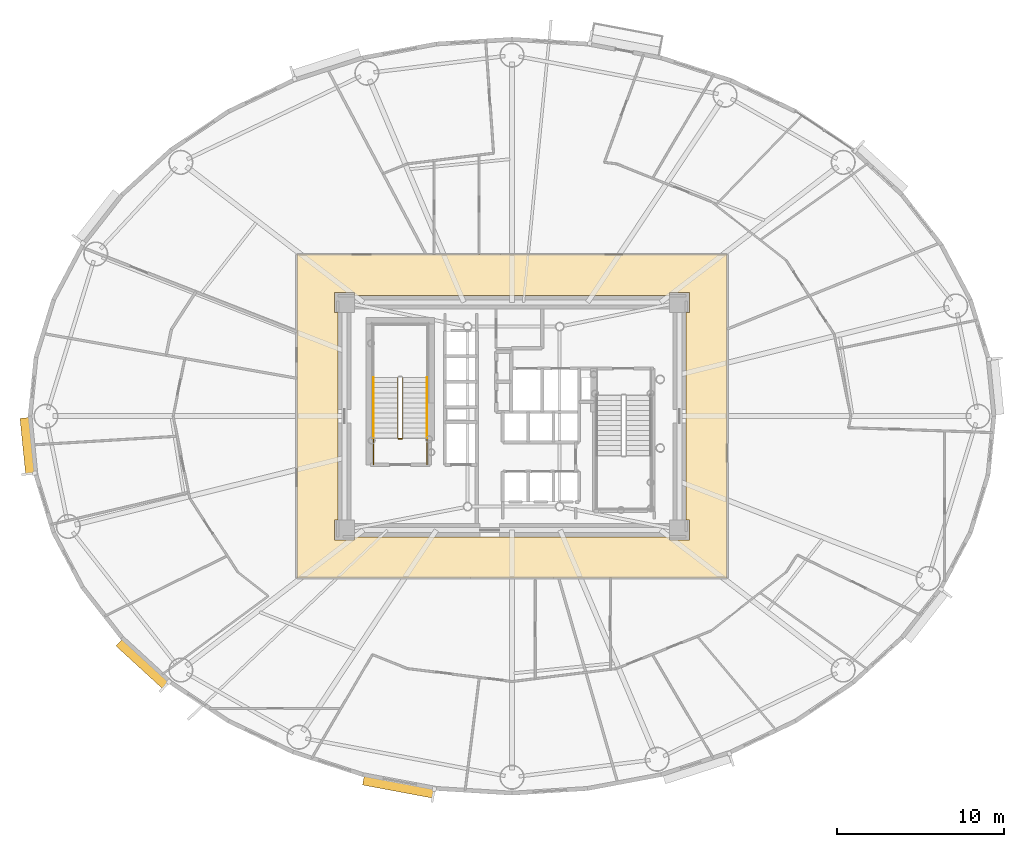
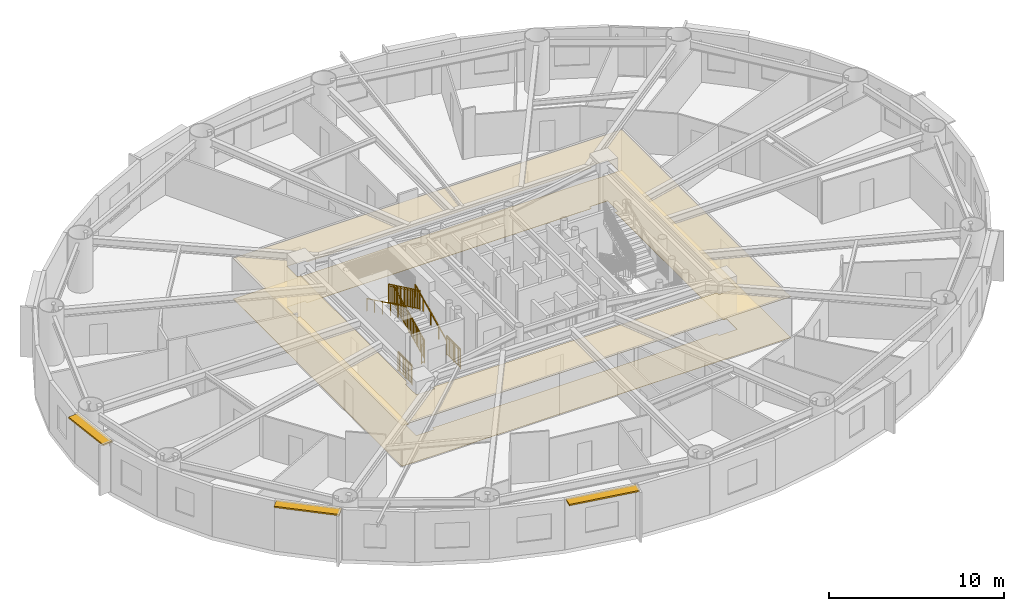
# One storey, part 16 of 20: 7 railings, 3 shading devices, 2 coverings.
"""IFC4 building model written with IfcOpenShell, lengths in metres."""

from ifc_helpers import new_model, si_unit, direction, frame, origin, origin_2d, place, context, subcontext, project, spatial, polyline, rectangle, outline, extrude, source, transform, mapped, material, layer, layer_set, type_object, element, save


model = new_model("IFC4")

# Units and contexts
model_context = context("Model", 3, precision=1e-05, world=origin(), true_north=direction((0.0, 1.0)))
body_context = subcontext(model_context, "Body", "Model", "MODEL_VIEW")
ifc_project = project(units=[si_unit("LENGTHUNIT", "METRE"), si_unit("AREAUNIT", "SQUARE_METRE"), si_unit("VOLUMEUNIT", "CUBIC_METRE"), si_unit("PLANEANGLEUNIT", "RADIAN"), si_unit("MASSUNIT", "GRAM", prefix="KILO")], contexts=[model_context])

# Site, building, storey
site_placement = place(None, origin())
site = spatial("IfcSite", under=ifc_project, at=site_placement, CompositionType="ELEMENT")
building_placement = place(site_placement, origin())
building = spatial("IfcBuilding", under=site, at=building_placement, Name="Linh Dai School and Residence Tower", CompositionType="ELEMENT")
storey_placement = place(building_placement, frame((0.0, 0.0, 127.199951171875)))
storey = spatial("IfcBuildingStorey", under=building, at=storey_placement, Name="L30", CompositionType="ELEMENT", Elevation=127.199951171875)

# Coverings
ifc_material_1 = material(Name="Mineral Fibre Acoustic Suspended Ceiling", Category="masonry")
ifc_layer_1 = layer(ifc_material_1, 0.02001953125)
ifc_layer_set_1 = layer_set([ifc_layer_1], Name="Mineral Fibre Acoustic Suspended Ceiling")
covering_type_1 = type_object("IfcCoveringType", Name="COV-CEIL-AC-20", PredefinedType="CEILING", material=ifc_layer_set_1)
covering_1_placement = place(storey_placement, frame((0.0, 0.0, 2.85009765625)))
element("IfcCovering", 1, at=covering_1_placement, inside=storey, type_object=covering_type_1, Name="L30 Residential Floor Corridor Suspended Ceiling", PredefinedType="CEILING", context=body_context, shape_type="SweptSolid", body=[
    extrude(outline(polyline([(48.85009765625, 36.64990234375), (48.85009765625, 17.35009765625), (23.14990234375, 17.35009765625), (23.14990234375, 36.64990234375), (48.85009765625, 36.64990234375)]), holes=[polyline([(26.60009765625, 34.199951171875), (26.60009765625, 34.39990234375), (25.39990234375, 34.39990234375), (25.39990234375, 33.199951171875), (25.60009765625, 33.199951171875), (25.60009765625, 20.800048828125), (25.39990234375, 20.800048828125), (25.39990234375, 19.60009765625), (26.60009765625, 19.60009765625), (26.60009765625, 19.800048828125), (45.39990234375, 19.800048828125), (45.39990234375, 19.60009765625), (46.60009765625, 19.60009765625), (46.60009765625, 20.800048828125), (46.39990234375, 20.800048828125), (46.39990234375, 33.199951171875), (46.60009765625, 33.199951171875), (46.60009765625, 34.39990234375), (45.39990234375, 34.39990234375), (45.39990234375, 34.199951171875), (26.60009765625, 34.199951171875)])]), origin(), (0.0, 0.0, 1.0), 0.02001953125),
])
ifc_material_2 = material(Name="Polished Terrazzo Floor Finish", Category="masonry")
ifc_layer_2 = layer(ifc_material_2, 0.02490234375)
ifc_layer_set_2 = layer_set([ifc_layer_2], Name="Polished Terrazzo Floor Finish")
covering_type_2 = type_object("IfcCoveringType", Name="COV-FLR-TRZ-25", PredefinedType="FLOORING", material=ifc_layer_set_2)
covering_2_placement = place(storey_placement, origin())
element("IfcCovering", 2, at=covering_2_placement, inside=storey, type_object=covering_type_2, Name="L30 Residential Floor Corridor Floor Finish", PredefinedType="FLOORING", context=body_context, shape_type="SweptSolid", body=[
    extrude(outline(polyline([(48.85009765625, 36.64990234375), (48.85009765625, 17.35009765625), (23.14990234375, 17.35009765625), (23.14990234375, 36.64990234375), (48.85009765625, 36.64990234375)]), holes=[polyline([(26.60009765625, 34.199951171875), (26.60009765625, 34.39990234375), (25.39990234375, 34.39990234375), (25.39990234375, 33.199951171875), (25.60009765625, 33.199951171875), (25.60009765625, 20.800048828125), (25.39990234375, 20.800048828125), (25.39990234375, 19.60009765625), (26.60009765625, 19.60009765625), (26.60009765625, 19.800048828125), (45.39990234375, 19.800048828125), (45.39990234375, 19.60009765625), (46.60009765625, 19.60009765625), (46.60009765625, 20.800048828125), (46.39990234375, 20.800048828125), (46.39990234375, 33.199951171875), (46.60009765625, 33.199951171875), (46.60009765625, 34.39990234375), (45.39990234375, 34.39990234375), (45.39990234375, 34.199951171875), (26.60009765625, 34.199951171875)])]), origin(), (0.0, 0.0, 1.0), 0.02001953125),
])

# Shading devices
ifc_material_3 = material(Name="Terracotta Ceramic Sunshade", Category="masonry")
ifc_layer_3 = layer(ifc_material_3, 0.10009765625)
ifc_layer_set_3 = layer_set([ifc_layer_3], Name="Terracotta Ceramic Sunshade")
shading_device_type = type_object("IfcShadingDeviceType", Name="SHD-TC-650", PredefinedType="USERDEFINED", material=ifc_layer_set_3)
shared_shape_1 = source(origin(), body_context, "Body", "SweptSolid", [
    extrude(rectangle(XDim=3.3916015625, YDim=0.64990234375, at=origin_2d()), origin(), (0.0, 0.0, 1.0), 0.10009765625),
])
shading_device_1_placement = place(storey_placement, frame((7.1181640625, 25.2138671875, 3.3798828125), z_axis=(0.0, 0.0, 1.0), x_axis=(-0.100007297192, 0.994986703684, 0.0)))
element("IfcShadingDevice", 3, at=shading_device_1_placement, inside=storey, type_object=shading_device_type, Name="L30 Terracotta Horizontal Sunshade Band 21", ObjectType="SUNSHADE", PredefinedType="USERDEFINED", context=body_context, shape_type="MappedRepresentation", body=[
    mapped(shared_shape_1, transform((0.0, 0.0, 0.0), x_axis=(1.0, 0.0, 0.0), y_axis=(0.0, 1.0, 0.0), z_axis=(0.0, 0.0, 1.0), scale=1.0)),
])
shared_shape_2 = source(origin(), body_context, "Body", "SweptSolid", [
    extrude(rectangle(XDim=3.81689453125, YDim=0.64990234375, at=origin_2d()), origin(), (0.0, 0.0, 1.0), 0.10009765625),
])
shading_device_2_placement = place(storey_placement, frame((13.983642578125, 12.22998046875, 3.3798828125), z_axis=(0.0, 0.0, 1.0), x_axis=(-0.737100266172, 0.675783395482, 0.0)))
element("IfcShadingDevice", 4, at=shading_device_2_placement, inside=storey, type_object=shading_device_type, Name="L30 Terracotta Horizontal Sunshade Band 25", ObjectType="SUNSHADE", PredefinedType="USERDEFINED", context=body_context, shape_type="MappedRepresentation", body=[
    mapped(shared_shape_2, transform((0.0, 0.0, 0.0), x_axis=(1.0, 0.0, 0.0), y_axis=(0.0, 1.0, 0.0), z_axis=(0.0, 0.0, 1.0), scale=1.0)),
])
shared_shape_3 = source(origin(), body_context, "Body", "SweptSolid", [
    extrude(rectangle(XDim=4.292236328125, YDim=0.64990234375, at=origin_2d()), origin(), (0.0, 0.0, 1.0), 0.10009765625),
])
shading_device_3_placement = place(storey_placement, frame((29.24462890625, 4.905517578125, 3.3798828125), z_axis=(0.0, 0.0, 1.0), x_axis=(-0.982784673718, 0.18475466193, 0.0)))
element("IfcShadingDevice", 5, at=shading_device_3_placement, inside=storey, type_object=shading_device_type, Name="L30 Terracotta Horizontal Sunshade Band 29", ObjectType="SUNSHADE", PredefinedType="USERDEFINED", context=body_context, shape_type="MappedRepresentation", body=[
    mapped(shared_shape_3, transform((0.0, 0.0, 0.0), x_axis=(1.0, 0.0, 0.0), y_axis=(0.0, 1.0, 0.0), z_axis=(0.0, 0.0, 1.0), scale=1.0)),
])

# Railings
ifc_material_4 = material(Name="Structural Steel S355JR", Category="steel")
railing_type_1 = type_object("IfcRailingType", Name="RL-ST-GUARD-1400", PredefinedType="GUARDRAIL", material=ifc_material_4)
shared_shape_4 = source(origin(), body_context, "Body", "SweptSolid", [
    extrude(rectangle(XDim=0.048095703125, YDim=0.048095703125, at=origin_2d()), frame((0.0, 0.0, 1.3759765625), z_axis=(-1.0, 0.0, 0.0), x_axis=(0.0, -1.0, 0.0)), (0.0, 0.0, 1.0), 0.199951171875),
    extrude(rectangle(XDim=0.048095703125, YDim=0.048095703125, at=origin_2d()), frame((0.0, 0.0, 0.10009765625), z_axis=(-1.0, 0.0, 0.0), x_axis=(0.0, -1.0, 0.0)), (0.0, 0.0, 1.0), 0.199951171875),
    extrude(rectangle(XDim=0.030029296875, YDim=0.030029296875, at=origin_2d()), frame((0.0, 0.0, 1.239990234375), z_axis=(-1.0, 0.0, 0.0), x_axis=(0.0, -1.0, 0.0)), (0.0, 0.0, 1.0), 0.199951171875),
    extrude(rectangle(XDim=0.0419921875, YDim=0.0419921875, at=origin_2d()), origin(), (0.0, 0.0, 1.0), 1.3759765625),
    extrude(rectangle(XDim=0.0419921875, YDim=0.0419921875, at=origin_2d()), frame((-0.199951171875, 0.0, 0.0)), (0.0, 0.0, 1.0), 1.3759765625),
])
railing_1_placement = place(storey_placement, frame((29.429931640625, 25.64990234375, 0.0)))
element("IfcRailing", 6, at=railing_1_placement, inside=storey, type_object=railing_type_1, Name="L30 ST1 stair guard 7", PredefinedType="GUARDRAIL", context=body_context, shape_type="MappedRepresentation", body=[
    mapped(shared_shape_4, transform((0.0, 0.0, 0.0), x_axis=(1.0, 0.0, 0.0), y_axis=(0.0, 1.0, 0.0), z_axis=(0.0, 0.0, 1.0), scale=1.0)),
])
shared_shape_5 = source(origin(), body_context, "Body", "SweptSolid", [
    extrude(rectangle(XDim=0.048095703125, YDim=0.048095703125, at=origin_2d()), frame((0.0, 0.0, 1.3759765625), z_axis=(0.0, 1.0, 0.0), x_axis=(-1.0, 0.0, 0.0)), (0.0, 0.0, 1.0), 1.599853515625),
    extrude(rectangle(XDim=0.048095703125, YDim=0.048095703125, at=origin_2d()), frame((0.0, 0.0, 0.10009765625), z_axis=(0.0, 1.0, 0.0), x_axis=(-1.0, 0.0, 0.0)), (0.0, 0.0, 1.0), 1.599853515625),
    extrude(rectangle(XDim=0.030029296875, YDim=0.030029296875, at=origin_2d()), frame((0.0, 0.0, 1.239990234375), z_axis=(0.0, 1.0, 0.0), x_axis=(-1.0, 0.0, 0.0)), (0.0, 0.0, 1.0), 1.599853515625),
    extrude(rectangle(XDim=0.02001953125, YDim=0.02001953125, at=origin_2d()), frame((0.0, 0.093994140625, 0.10009765625)), (0.0, 0.0, 1.0), 1.251708984375),
    extrude(rectangle(XDim=0.02001953125, YDim=0.02001953125, at=origin_2d()), frame((0.0, 0.188232421875, 0.10009765625)), (0.0, 0.0, 1.0), 1.251708984375),
    extrude(rectangle(XDim=0.02001953125, YDim=0.02001953125, at=origin_2d()), frame((0.0, 0.2822265625, 0.10009765625)), (0.0, 0.0, 1.0), 1.251708984375),
    extrude(rectangle(XDim=0.02001953125, YDim=0.02001953125, at=origin_2d()), frame((0.0, 0.37646484375, 0.10009765625)), (0.0, 0.0, 1.0), 1.251708984375),
    extrude(rectangle(XDim=0.02001953125, YDim=0.02001953125, at=origin_2d()), frame((0.0, 0.470458984375, 0.10009765625)), (0.0, 0.0, 1.0), 1.251708984375),
    extrude(rectangle(XDim=0.02001953125, YDim=0.02001953125, at=origin_2d()), frame((0.0, 0.564697265625, 0.10009765625)), (0.0, 0.0, 1.0), 1.251708984375),
    extrude(rectangle(XDim=0.02001953125, YDim=0.02001953125, at=origin_2d()), frame((0.0, 0.65869140625, 0.10009765625)), (0.0, 0.0, 1.0), 1.251708984375),
    extrude(rectangle(XDim=0.02001953125, YDim=0.02001953125, at=origin_2d()), frame((0.0, 0.7529296875, 0.10009765625)), (0.0, 0.0, 1.0), 1.251708984375),
    extrude(rectangle(XDim=0.02001953125, YDim=0.02001953125, at=origin_2d()), frame((0.0, 0.846923828125, 0.10009765625)), (0.0, 0.0, 1.0), 1.251708984375),
    extrude(rectangle(XDim=0.02001953125, YDim=0.02001953125, at=origin_2d()), frame((0.0, 0.941162109375, 0.10009765625)), (0.0, 0.0, 1.0), 1.251708984375),
    extrude(rectangle(XDim=0.02001953125, YDim=0.02001953125, at=origin_2d()), frame((0.0, 1.03515625, 0.10009765625)), (0.0, 0.0, 1.0), 1.251708984375),
    extrude(rectangle(XDim=0.02001953125, YDim=0.02001953125, at=origin_2d()), frame((0.0, 1.12939453125, 0.10009765625)), (0.0, 0.0, 1.0), 1.251708984375),
    extrude(rectangle(XDim=0.02001953125, YDim=0.02001953125, at=origin_2d()), frame((0.0, 1.223388671875, 0.10009765625)), (0.0, 0.0, 1.0), 1.251708984375),
    extrude(rectangle(XDim=0.02001953125, YDim=0.02001953125, at=origin_2d()), frame((0.0, 1.317626953125, 0.10009765625)), (0.0, 0.0, 1.0), 1.251708984375),
    extrude(rectangle(XDim=0.02001953125, YDim=0.02001953125, at=origin_2d()), frame((0.0, 1.41162109375, 0.10009765625)), (0.0, 0.0, 1.0), 1.251708984375),
    extrude(rectangle(XDim=0.02001953125, YDim=0.02001953125, at=origin_2d()), frame((0.0, 1.505859375, 0.10009765625)), (0.0, 0.0, 1.0), 1.251708984375),
    extrude(rectangle(XDim=0.0419921875, YDim=0.0419921875, at=origin_2d()), origin(), (0.0, 0.0, 1.0), 1.3759765625),
    extrude(rectangle(XDim=0.0419921875, YDim=0.0419921875, at=origin_2d()), frame((0.0, 0.7998046875, 0.0)), (0.0, 0.0, 1.0), 1.3759765625),
    extrude(rectangle(XDim=0.0419921875, YDim=0.0419921875, at=origin_2d()), frame((0.0, 1.599853515625, 0.0)), (0.0, 0.0, 1.0), 1.3759765625),
])
for number, where, name in (
    (7, (30.929931640625, 24.10009765625, 0.0), "L30 ST1 stair guard 8"),
    (8, (27.72998046875, 24.10009765625, 0.0), "L30 ST1 stair guard 9"),
):
    element("IfcRailing", number, at=place(storey_placement, frame(where)), inside=storey, type_object=railing_type_1, Name=name, PredefinedType="GUARDRAIL", context=body_context, shape_type="MappedRepresentation", body=[
        mapped(shared_shape_5, transform((0.0, 0.0, 0.0), x_axis=(1.0, 0.0, 0.0), y_axis=(0.0, 1.0, 0.0), z_axis=(0.0, 0.0, 1.0), scale=1.0)),
    ])
shared_shape_6 = source(origin(), body_context, "Body", "SweptSolid", [
    extrude(rectangle(XDim=0.048095703125, YDim=0.048095703125, at=origin_2d()), frame((0.0, 0.0, 1.3759765625), z_axis=(0.0, 0.901262522062, 0.433273431364), x_axis=(-1.0, 0.0, 0.0)), (0.0, 0.0, 1.0), 3.994384765625),
    extrude(rectangle(XDim=0.048095703125, YDim=0.048095703125, at=origin_2d()), frame((0.0, 0.0, 0.10009765625), z_axis=(0.0, 0.901262522062, 0.433273431364), x_axis=(-1.0, 0.0, 0.0)), (0.0, 0.0, 1.0), 3.994384765625),
    extrude(rectangle(XDim=0.030029296875, YDim=0.030029296875, at=origin_2d()), frame((0.0, 0.0, 1.239990234375), z_axis=(0.0, 0.901262522062, 0.433273431364), x_axis=(-1.0, 0.0, 0.0)), (0.0, 0.0, 1.0), 3.994384765625),
    extrude(rectangle(XDim=0.02001953125, YDim=0.02001953125, at=origin_2d()), frame((0.0, 0.087890625, 0.142333984375)), (0.0, 0.0, 1.0), 1.251708984375),
    extrude(rectangle(XDim=0.02001953125, YDim=0.02001953125, at=origin_2d()), frame((0.0, 0.175537109375, 0.1845703125)), (0.0, 0.0, 1.0), 1.251708984375),
    extrude(rectangle(XDim=0.02001953125, YDim=0.02001953125, at=origin_2d()), frame((0.0, 0.263427734375, 0.226806640625)), (0.0, 0.0, 1.0), 1.251708984375),
    extrude(rectangle(XDim=0.02001953125, YDim=0.02001953125, at=origin_2d()), frame((0.0, 0.351318359375, 0.26904296875)), (0.0, 0.0, 1.0), 1.251708984375),
    extrude(rectangle(XDim=0.02001953125, YDim=0.02001953125, at=origin_2d()), frame((0.0, 0.43896484375, 0.311279296875)), (0.0, 0.0, 1.0), 1.251708984375),
    extrude(rectangle(XDim=0.02001953125, YDim=0.02001953125, at=origin_2d()), frame((0.0, 0.52685546875, 0.353271484375)), (0.0, 0.0, 1.0), 1.251708984375),
    extrude(rectangle(XDim=0.02001953125, YDim=0.02001953125, at=origin_2d()), frame((0.0, 0.61474609375, 0.3955078125)), (0.0, 0.0, 1.0), 1.251708984375),
    extrude(rectangle(XDim=0.02001953125, YDim=0.02001953125, at=origin_2d()), frame((0.0, 0.702392578125, 0.437744140625)), (0.0, 0.0, 1.0), 1.251708984375),
    extrude(rectangle(XDim=0.02001953125, YDim=0.02001953125, at=origin_2d()), frame((0.0, 0.790283203125, 0.47998046875)), (0.0, 0.0, 1.0), 1.251708984375),
    extrude(rectangle(XDim=0.02001953125, YDim=0.02001953125, at=origin_2d()), frame((0.0, 0.9658203125, 0.564453125)), (0.0, 0.0, 1.0), 1.251708984375),
    extrude(rectangle(XDim=0.02001953125, YDim=0.02001953125, at=origin_2d()), frame((0.0, 1.0537109375, 0.606689453125)), (0.0, 0.0, 1.0), 1.251708984375),
    extrude(rectangle(XDim=0.02001953125, YDim=0.02001953125, at=origin_2d()), frame((0.0, 1.1416015625, 0.64892578125)), (0.0, 0.0, 1.0), 1.251708984375),
    extrude(rectangle(XDim=0.02001953125, YDim=0.02001953125, at=origin_2d()), frame((0.0, 1.229248046875, 0.691162109375)), (0.0, 0.0, 1.0), 1.251708984375),
    extrude(rectangle(XDim=0.02001953125, YDim=0.02001953125, at=origin_2d()), frame((0.0, 1.317138671875, 0.7333984375)), (0.0, 0.0, 1.0), 1.251708984375),
    extrude(rectangle(XDim=0.02001953125, YDim=0.02001953125, at=origin_2d()), frame((0.0, 1.405029296875, 0.775390625)), (0.0, 0.0, 1.0), 1.251708984375),
    extrude(rectangle(XDim=0.02001953125, YDim=0.02001953125, at=origin_2d()), frame((0.0, 1.49267578125, 0.817626953125)), (0.0, 0.0, 1.0), 1.251708984375),
    extrude(rectangle(XDim=0.02001953125, YDim=0.02001953125, at=origin_2d()), frame((0.0, 1.58056640625, 0.85986328125)), (0.0, 0.0, 1.0), 1.251708984375),
    extrude(rectangle(XDim=0.02001953125, YDim=0.02001953125, at=origin_2d()), frame((0.0, 1.66845703125, 0.902099609375)), (0.0, 0.0, 1.0), 1.251708984375),
    extrude(rectangle(XDim=0.02001953125, YDim=0.02001953125, at=origin_2d()), frame((0.0, 1.756103515625, 0.9443359375)), (0.0, 0.0, 1.0), 1.251708984375),
    extrude(rectangle(XDim=0.02001953125, YDim=0.02001953125, at=origin_2d()), frame((0.0, 1.843994140625, 0.986572265625)), (0.0, 0.0, 1.0), 1.251708984375),
    extrude(rectangle(XDim=0.02001953125, YDim=0.02001953125, at=origin_2d()), frame((0.0, 1.931640625, 1.02880859375)), (0.0, 0.0, 1.0), 1.251708984375),
    extrude(rectangle(XDim=0.02001953125, YDim=0.02001953125, at=origin_2d()), frame((0.0, 2.01953125, 1.071044921875)), (0.0, 0.0, 1.0), 1.251708984375),
    extrude(rectangle(XDim=0.02001953125, YDim=0.02001953125, at=origin_2d()), frame((0.0, 2.107421875, 1.11328125)), (0.0, 0.0, 1.0), 1.251708984375),
    extrude(rectangle(XDim=0.02001953125, YDim=0.02001953125, at=origin_2d()), frame((0.0, 2.195068359375, 1.155517578125)), (0.0, 0.0, 1.0), 1.251708984375),
    extrude(rectangle(XDim=0.02001953125, YDim=0.02001953125, at=origin_2d()), frame((0.0, 2.282958984375, 1.197509765625)), (0.0, 0.0, 1.0), 1.251708984375),
    extrude(rectangle(XDim=0.02001953125, YDim=0.02001953125, at=origin_2d()), frame((0.0, 2.370849609375, 1.23974609375)), (0.0, 0.0, 1.0), 1.251708984375),
    extrude(rectangle(XDim=0.02001953125, YDim=0.02001953125, at=origin_2d()), frame((0.0, 2.45849609375, 1.281982421875)), (0.0, 0.0, 1.0), 1.251708984375),
    extrude(rectangle(XDim=0.02001953125, YDim=0.02001953125, at=origin_2d()), frame((0.0, 2.54638671875, 1.32421875)), (0.0, 0.0, 1.0), 1.251708984375),
    extrude(rectangle(XDim=0.02001953125, YDim=0.02001953125, at=origin_2d()), frame((0.0, 2.63427734375, 1.366455078125)), (0.0, 0.0, 1.0), 1.251708984375),
    extrude(rectangle(XDim=0.02001953125, YDim=0.02001953125, at=origin_2d()), frame((0.0, 2.809814453125, 1.450927734375)), (0.0, 0.0, 1.0), 1.251708984375),
    extrude(rectangle(XDim=0.02001953125, YDim=0.02001953125, at=origin_2d()), frame((0.0, 2.897705078125, 1.4931640625)), (0.0, 0.0, 1.0), 1.251708984375),
    extrude(rectangle(XDim=0.02001953125, YDim=0.02001953125, at=origin_2d()), frame((0.0, 2.9853515625, 1.535400390625)), (0.0, 0.0, 1.0), 1.251708984375),
    extrude(rectangle(XDim=0.02001953125, YDim=0.02001953125, at=origin_2d()), frame((0.0, 3.0732421875, 1.57763671875)), (0.0, 0.0, 1.0), 1.251708984375),
    extrude(rectangle(XDim=0.02001953125, YDim=0.02001953125, at=origin_2d()), frame((0.0, 3.1611328125, 1.61962890625)), (0.0, 0.0, 1.0), 1.251708984375),
    extrude(rectangle(XDim=0.02001953125, YDim=0.02001953125, at=origin_2d()), frame((0.0, 3.248779296875, 1.661865234375)), (0.0, 0.0, 1.0), 1.251708984375),
    extrude(rectangle(XDim=0.02001953125, YDim=0.02001953125, at=origin_2d()), frame((0.0, 3.336669921875, 1.7041015625)), (0.0, 0.0, 1.0), 1.251708984375),
    extrude(rectangle(XDim=0.02001953125, YDim=0.02001953125, at=origin_2d()), frame((0.0, 3.424560546875, 1.746337890625)), (0.0, 0.0, 1.0), 1.251708984375),
    extrude(rectangle(XDim=0.02001953125, YDim=0.02001953125, at=origin_2d()), frame((0.0, 3.51220703125, 1.78857421875)), (0.0, 0.0, 1.0), 1.251708984375),
    extrude(rectangle(XDim=0.0419921875, YDim=0.0419921875, at=origin_2d()), origin(), (0.0, 0.0, 1.0), 1.3759765625),
    extrude(rectangle(XDim=0.0419921875, YDim=0.0419921875, at=origin_2d()), frame((0.0, 0.89990234375, 0.4326171875)), (0.0, 0.0, 1.0), 1.3759765625),
    extrude(rectangle(XDim=0.0419921875, YDim=0.0419921875, at=origin_2d()), frame((0.0, 1.800048828125, 0.865234375)), (0.0, 0.0, 1.0), 1.3759765625),
    extrude(rectangle(XDim=0.0419921875, YDim=0.0419921875, at=origin_2d()), frame((0.0, 2.7001953125, 1.298095703125)), (0.0, 0.0, 1.0), 1.3759765625),
    extrude(rectangle(XDim=0.0419921875, YDim=0.0419921875, at=origin_2d()), frame((0.0, 3.60009765625, 1.730712890625)), (0.0, 0.0, 1.0), 1.3759765625),
])
railing_2_placement = place(storey_placement, frame((29.47998046875, 25.699951171875, 0.144287109375)))
element("IfcRailing", 9, at=railing_2_placement, inside=storey, type_object=railing_type_1, Name="L30 ST1 stair guard 1", PredefinedType="GUARDRAIL", context=body_context, shape_type="MappedRepresentation", body=[
    mapped(shared_shape_6, transform((0.0, 0.0, 0.0), x_axis=(1.0, 0.0, 0.0), y_axis=(0.0, 1.0, 0.0), z_axis=(0.0, 0.0, 1.0), scale=1.0)),
])
shared_shape_7 = source(origin(), body_context, "Body", "SweptSolid", [
    extrude(rectangle(XDim=0.048095703125, YDim=0.048095703125, at=origin_2d()), frame((0.0, 0.0, 1.3759765625), z_axis=(0.0, -0.901262522062, 0.433273431364), x_axis=(1.0, 0.0, 0.0)), (0.0, 0.0, 1.0), 3.994384765625),
    extrude(rectangle(XDim=0.048095703125, YDim=0.048095703125, at=origin_2d()), frame((0.0, 0.0, 0.10009765625), z_axis=(0.0, -0.901262522062, 0.433273431364), x_axis=(1.0, 0.0, 0.0)), (0.0, 0.0, 1.0), 3.994384765625),
    extrude(rectangle(XDim=0.030029296875, YDim=0.030029296875, at=origin_2d()), frame((0.0, 0.0, 1.239990234375), z_axis=(0.0, -0.901262522062, 0.433273431364), x_axis=(1.0, 0.0, 0.0)), (0.0, 0.0, 1.0), 3.994384765625),
    extrude(rectangle(XDim=0.02001953125, YDim=0.02001953125, at=origin_2d()), frame((0.0, -0.087890625, 0.142333984375)), (0.0, 0.0, 1.0), 1.251708984375),
    extrude(rectangle(XDim=0.02001953125, YDim=0.02001953125, at=origin_2d()), frame((0.0, -0.175537109375, 0.1845703125)), (0.0, 0.0, 1.0), 1.251708984375),
    extrude(rectangle(XDim=0.02001953125, YDim=0.02001953125, at=origin_2d()), frame((0.0, -0.263427734375, 0.226806640625)), (0.0, 0.0, 1.0), 1.251708984375),
    extrude(rectangle(XDim=0.02001953125, YDim=0.02001953125, at=origin_2d()), frame((0.0, -0.351318359375, 0.26904296875)), (0.0, 0.0, 1.0), 1.251708984375),
    extrude(rectangle(XDim=0.02001953125, YDim=0.02001953125, at=origin_2d()), frame((0.0, -0.43896484375, 0.311279296875)), (0.0, 0.0, 1.0), 1.251708984375),
    extrude(rectangle(XDim=0.02001953125, YDim=0.02001953125, at=origin_2d()), frame((0.0, -0.52685546875, 0.353271484375)), (0.0, 0.0, 1.0), 1.251708984375),
    extrude(rectangle(XDim=0.02001953125, YDim=0.02001953125, at=origin_2d()), frame((0.0, -0.61474609375, 0.3955078125)), (0.0, 0.0, 1.0), 1.251708984375),
    extrude(rectangle(XDim=0.02001953125, YDim=0.02001953125, at=origin_2d()), frame((0.0, -0.702392578125, 0.437744140625)), (0.0, 0.0, 1.0), 1.251708984375),
    extrude(rectangle(XDim=0.02001953125, YDim=0.02001953125, at=origin_2d()), frame((0.0, -0.790283203125, 0.47998046875)), (0.0, 0.0, 1.0), 1.251708984375),
    extrude(rectangle(XDim=0.02001953125, YDim=0.02001953125, at=origin_2d()), frame((0.0, -0.9658203125, 0.564453125)), (0.0, 0.0, 1.0), 1.251708984375),
    extrude(rectangle(XDim=0.02001953125, YDim=0.02001953125, at=origin_2d()), frame((0.0, -1.0537109375, 0.606689453125)), (0.0, 0.0, 1.0), 1.251708984375),
    extrude(rectangle(XDim=0.02001953125, YDim=0.02001953125, at=origin_2d()), frame((0.0, -1.1416015625, 0.64892578125)), (0.0, 0.0, 1.0), 1.251708984375),
    extrude(rectangle(XDim=0.02001953125, YDim=0.02001953125, at=origin_2d()), frame((0.0, -1.229248046875, 0.691162109375)), (0.0, 0.0, 1.0), 1.251708984375),
    extrude(rectangle(XDim=0.02001953125, YDim=0.02001953125, at=origin_2d()), frame((0.0, -1.317138671875, 0.7333984375)), (0.0, 0.0, 1.0), 1.251708984375),
    extrude(rectangle(XDim=0.02001953125, YDim=0.02001953125, at=origin_2d()), frame((0.0, -1.405029296875, 0.775390625)), (0.0, 0.0, 1.0), 1.251708984375),
    extrude(rectangle(XDim=0.02001953125, YDim=0.02001953125, at=origin_2d()), frame((0.0, -1.49267578125, 0.817626953125)), (0.0, 0.0, 1.0), 1.251708984375),
    extrude(rectangle(XDim=0.02001953125, YDim=0.02001953125, at=origin_2d()), frame((0.0, -1.58056640625, 0.85986328125)), (0.0, 0.0, 1.0), 1.251708984375),
    extrude(rectangle(XDim=0.02001953125, YDim=0.02001953125, at=origin_2d()), frame((0.0, -1.66845703125, 0.902099609375)), (0.0, 0.0, 1.0), 1.251708984375),
    extrude(rectangle(XDim=0.02001953125, YDim=0.02001953125, at=origin_2d()), frame((0.0, -1.756103515625, 0.9443359375)), (0.0, 0.0, 1.0), 1.251708984375),
    extrude(rectangle(XDim=0.02001953125, YDim=0.02001953125, at=origin_2d()), frame((0.0, -1.843994140625, 0.986572265625)), (0.0, 0.0, 1.0), 1.251708984375),
    extrude(rectangle(XDim=0.02001953125, YDim=0.02001953125, at=origin_2d()), frame((0.0, -1.931640625, 1.02880859375)), (0.0, 0.0, 1.0), 1.251708984375),
    extrude(rectangle(XDim=0.02001953125, YDim=0.02001953125, at=origin_2d()), frame((0.0, -2.01953125, 1.071044921875)), (0.0, 0.0, 1.0), 1.251708984375),
    extrude(rectangle(XDim=0.02001953125, YDim=0.02001953125, at=origin_2d()), frame((0.0, -2.107421875, 1.11328125)), (0.0, 0.0, 1.0), 1.251708984375),
    extrude(rectangle(XDim=0.02001953125, YDim=0.02001953125, at=origin_2d()), frame((0.0, -2.195068359375, 1.155517578125)), (0.0, 0.0, 1.0), 1.251708984375),
    extrude(rectangle(XDim=0.02001953125, YDim=0.02001953125, at=origin_2d()), frame((0.0, -2.282958984375, 1.197509765625)), (0.0, 0.0, 1.0), 1.251708984375),
    extrude(rectangle(XDim=0.02001953125, YDim=0.02001953125, at=origin_2d()), frame((0.0, -2.370849609375, 1.23974609375)), (0.0, 0.0, 1.0), 1.251708984375),
    extrude(rectangle(XDim=0.02001953125, YDim=0.02001953125, at=origin_2d()), frame((0.0, -2.45849609375, 1.281982421875)), (0.0, 0.0, 1.0), 1.251708984375),
    extrude(rectangle(XDim=0.02001953125, YDim=0.02001953125, at=origin_2d()), frame((0.0, -2.54638671875, 1.32421875)), (0.0, 0.0, 1.0), 1.251708984375),
    extrude(rectangle(XDim=0.02001953125, YDim=0.02001953125, at=origin_2d()), frame((0.0, -2.63427734375, 1.366455078125)), (0.0, 0.0, 1.0), 1.251708984375),
    extrude(rectangle(XDim=0.02001953125, YDim=0.02001953125, at=origin_2d()), frame((0.0, -2.809814453125, 1.450927734375)), (0.0, 0.0, 1.0), 1.251708984375),
    extrude(rectangle(XDim=0.02001953125, YDim=0.02001953125, at=origin_2d()), frame((0.0, -2.897705078125, 1.4931640625)), (0.0, 0.0, 1.0), 1.251708984375),
    extrude(rectangle(XDim=0.02001953125, YDim=0.02001953125, at=origin_2d()), frame((0.0, -2.9853515625, 1.535400390625)), (0.0, 0.0, 1.0), 1.251708984375),
    extrude(rectangle(XDim=0.02001953125, YDim=0.02001953125, at=origin_2d()), frame((0.0, -3.0732421875, 1.57763671875)), (0.0, 0.0, 1.0), 1.251708984375),
    extrude(rectangle(XDim=0.02001953125, YDim=0.02001953125, at=origin_2d()), frame((0.0, -3.1611328125, 1.61962890625)), (0.0, 0.0, 1.0), 1.251708984375),
    extrude(rectangle(XDim=0.02001953125, YDim=0.02001953125, at=origin_2d()), frame((0.0, -3.248779296875, 1.661865234375)), (0.0, 0.0, 1.0), 1.251708984375),
    extrude(rectangle(XDim=0.02001953125, YDim=0.02001953125, at=origin_2d()), frame((0.0, -3.336669921875, 1.7041015625)), (0.0, 0.0, 1.0), 1.251708984375),
    extrude(rectangle(XDim=0.02001953125, YDim=0.02001953125, at=origin_2d()), frame((0.0, -3.424560546875, 1.746337890625)), (0.0, 0.0, 1.0), 1.251708984375),
    extrude(rectangle(XDim=0.02001953125, YDim=0.02001953125, at=origin_2d()), frame((0.0, -3.51220703125, 1.78857421875)), (0.0, 0.0, 1.0), 1.251708984375),
    extrude(rectangle(XDim=0.0419921875, YDim=0.0419921875, at=origin_2d()), origin(), (0.0, 0.0, 1.0), 1.3759765625),
    extrude(rectangle(XDim=0.0419921875, YDim=0.0419921875, at=origin_2d()), frame((0.0, -0.89990234375, 0.4326171875)), (0.0, 0.0, 1.0), 1.3759765625),
    extrude(rectangle(XDim=0.0419921875, YDim=0.0419921875, at=origin_2d()), frame((0.0, -1.800048828125, 0.865234375)), (0.0, 0.0, 1.0), 1.3759765625),
    extrude(rectangle(XDim=0.0419921875, YDim=0.0419921875, at=origin_2d()), frame((0.0, -2.7001953125, 1.298095703125)), (0.0, 0.0, 1.0), 1.3759765625),
    extrude(rectangle(XDim=0.0419921875, YDim=0.0419921875, at=origin_2d()), frame((0.0, -3.60009765625, 1.730712890625)), (0.0, 0.0, 1.0), 1.3759765625),
])
railing_3_placement = place(storey_placement, frame((29.179931640625, 29.300048828125, 2.019287109375)))
element("IfcRailing", 10, at=railing_3_placement, inside=storey, type_object=railing_type_1, Name="L30 ST1 stair guard 6", PredefinedType="GUARDRAIL", context=body_context, shape_type="MappedRepresentation", body=[
    mapped(shared_shape_7, transform((0.0, 0.0, 0.0), x_axis=(1.0, 0.0, 0.0), y_axis=(0.0, 1.0, 0.0), z_axis=(0.0, 0.0, 1.0), scale=1.0)),
])
ifc_material_5 = material(Name="Brushed Stainless Steel Handrail", Category="steel")
railing_type_2 = type_object("IfcRailingType", Name="RL-ST-HANDRAIL-900", PredefinedType="HANDRAIL", material=ifc_material_5)
shared_shape_8 = source(origin(), body_context, "Body", "SweptSolid", [
    extrude(rectangle(XDim=0.048095703125, YDim=0.048095703125, at=origin_2d()), frame((0.0, 0.0, 0.8759765625), z_axis=(0.0, 0.901262522062, 0.433273431364), x_axis=(-1.0, 0.0, 0.0)), (0.0, 0.0, 1.0), 3.994384765625),
    extrude(rectangle(XDim=0.0419921875, YDim=0.0419921875, at=origin_2d()), origin(), (0.0, 0.0, 1.0), 0.8759765625),
    extrude(rectangle(XDim=0.0419921875, YDim=0.0419921875, at=origin_2d()), frame((0.0, 0.89990234375, 0.4326171875)), (0.0, 0.0, 1.0), 0.8759765625),
    extrude(rectangle(XDim=0.0419921875, YDim=0.0419921875, at=origin_2d()), frame((0.0, 1.800048828125, 0.865234375)), (0.0, 0.0, 1.0), 0.8759765625),
    extrude(rectangle(XDim=0.0419921875, YDim=0.0419921875, at=origin_2d()), frame((0.0, 2.7001953125, 1.298095703125)), (0.0, 0.0, 1.0), 0.8759765625),
    extrude(rectangle(XDim=0.0419921875, YDim=0.0419921875, at=origin_2d()), frame((0.0, 3.60009765625, 1.730712890625)), (0.0, 0.0, 1.0), 0.8759765625),
])
railing_4_placement = place(storey_placement, frame((30.929931640625, 25.699951171875, 0.144287109375)))
element("IfcRailing", 11, at=railing_4_placement, inside=storey, type_object=railing_type_2, Name="L30 ST1 stair handrail 1", PredefinedType="HANDRAIL", context=body_context, shape_type="MappedRepresentation", body=[
    mapped(shared_shape_8, transform((0.0, 0.0, 0.0), x_axis=(1.0, 0.0, 0.0), y_axis=(0.0, 1.0, 0.0), z_axis=(0.0, 0.0, 1.0), scale=1.0)),
])
shared_shape_9 = source(origin(), body_context, "Body", "SweptSolid", [
    extrude(rectangle(XDim=0.048095703125, YDim=0.048095703125, at=origin_2d()), frame((0.0, 0.0, 0.8759765625), z_axis=(0.0, -0.901262522062, 0.433273431364), x_axis=(1.0, 0.0, 0.0)), (0.0, 0.0, 1.0), 3.994384765625),
    extrude(rectangle(XDim=0.0419921875, YDim=0.0419921875, at=origin_2d()), origin(), (0.0, 0.0, 1.0), 0.8759765625),
    extrude(rectangle(XDim=0.0419921875, YDim=0.0419921875, at=origin_2d()), frame((0.0, -0.89990234375, 0.4326171875)), (0.0, 0.0, 1.0), 0.8759765625),
    extrude(rectangle(XDim=0.0419921875, YDim=0.0419921875, at=origin_2d()), frame((0.0, -1.800048828125, 0.865234375)), (0.0, 0.0, 1.0), 0.8759765625),
    extrude(rectangle(XDim=0.0419921875, YDim=0.0419921875, at=origin_2d()), frame((0.0, -2.7001953125, 1.298095703125)), (0.0, 0.0, 1.0), 0.8759765625),
    extrude(rectangle(XDim=0.0419921875, YDim=0.0419921875, at=origin_2d()), frame((0.0, -3.60009765625, 1.730712890625)), (0.0, 0.0, 1.0), 0.8759765625),
])
railing_5_placement = place(storey_placement, frame((27.72998046875, 29.300048828125, 2.019287109375)))
element("IfcRailing", 12, at=railing_5_placement, inside=storey, type_object=railing_type_2, Name="L30 ST1 stair handrail 2", PredefinedType="HANDRAIL", context=body_context, shape_type="MappedRepresentation", body=[
    mapped(shared_shape_9, transform((0.0, 0.0, 0.0), x_axis=(1.0, 0.0, 0.0), y_axis=(0.0, 1.0, 0.0), z_axis=(0.0, 0.0, 1.0), scale=1.0)),
])

save(model, "model.ifc")
